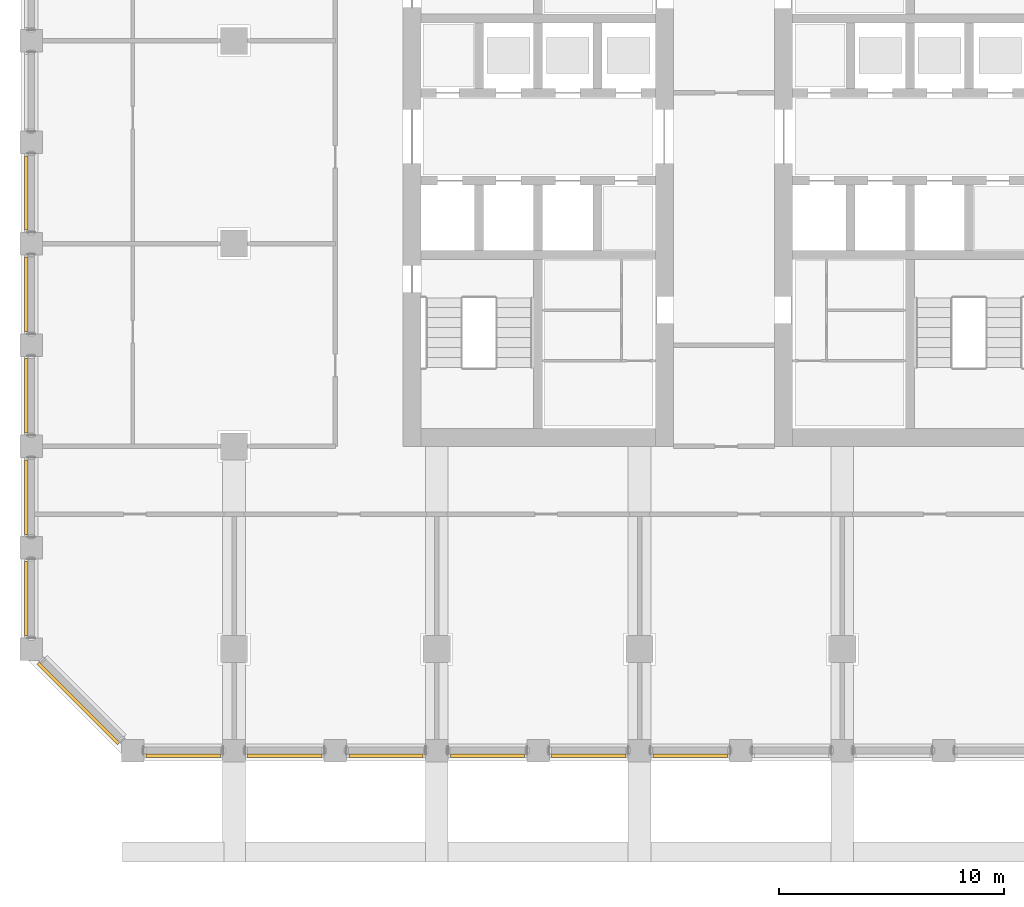
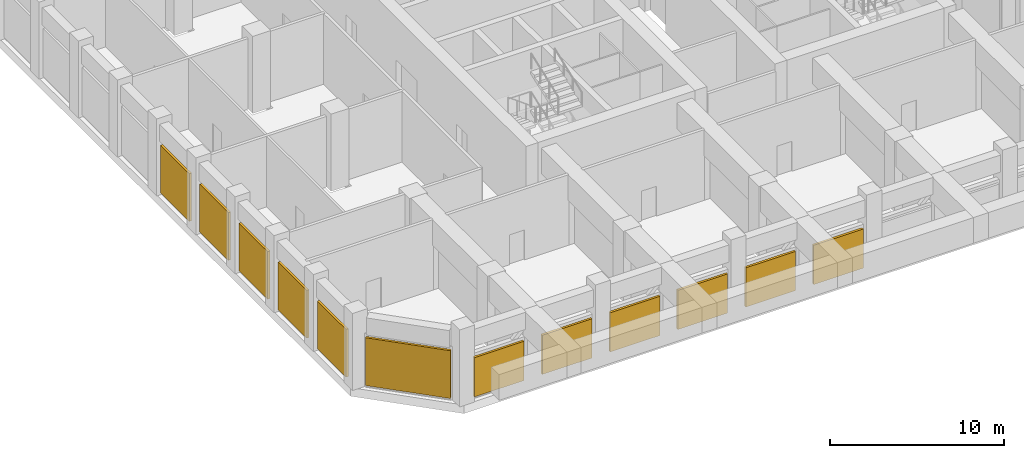
# One storey, part 13 of 20: 12 shading devices.
"""IFC4 building model written with IfcOpenShell, lengths in metres."""

from ifc_helpers import new_model, si_unit, direction, frame, origin, origin_2d, place, context, subcontext, project, spatial, rectangle, extrude, material, layer, layer_set, type_object, element, save


model = new_model("IFC4")

# Units and contexts
model_context = context("Model", 3, precision=1e-05, world=origin(), true_north=direction((0.0, 1.0)))
body_context = subcontext(model_context, "Body", "Model", "MODEL_VIEW")
ifc_project = project(units=[si_unit("LENGTHUNIT", "METRE"), si_unit("AREAUNIT", "SQUARE_METRE"), si_unit("VOLUMEUNIT", "CUBIC_METRE"), si_unit("PLANEANGLEUNIT", "RADIAN"), si_unit("MASSUNIT", "GRAM", prefix="KILO")], contexts=[model_context])

# Site, building, storey
site_placement = place(None, origin())
site = spatial("IfcSite", under=ifc_project, at=site_placement, CompositionType="ELEMENT")
building_placement = place(site_placement, origin())
building = spatial("IfcBuilding", under=site, at=building_placement, Name="Corbel Stack Research Tower", CompositionType="ELEMENT")
storey_placement = place(building_placement, frame((0.0, 0.0, 151.39990234375)))
storey = spatial("IfcBuildingStorey", under=building, at=storey_placement, Name="L34", CompositionType="ELEMENT", Elevation=151.39990234375)

# Shading devices
ifc_material = material(Name="Aluminium louvre", Category="aluminium")
ifc_layer = layer(ifc_material, 0.14990234375)
ifc_layer_set = layer_set([ifc_layer], Name="Aluminium louvre")
shading_device_type = type_object("IfcShadingDeviceType", Name="Plant louvre 150", PredefinedType="USERDEFINED", material=ifc_layer_set)
for number, where, z_axis, x_axis, name in (
    (1, (-20.25, -22.72509765625, 0.2001953125), (0.0, 0.0, 1.0), (1.0, 0.0, 0.0), "Plant louvre L34 S01"),
    (2, (-15.75, -22.72509765625, 0.2001953125), (0.0, 0.0, 1.0), (1.0, 0.0, 0.0), "Plant louvre L34 S02"),
    (3, (-11.25, -22.72509765625, 0.2001953125), (0.0, 0.0, 1.0), (1.0, 0.0, 0.0), "Plant louvre L34 S03"),
    (4, (-6.75, -22.72509765625, 0.2001953125), (0.0, 0.0, 1.0), (1.0, 0.0, 0.0), "Plant louvre L34 S04"),
    (5, (-2.25, -22.72509765625, 0.2001953125), (0.0, 0.0, 1.0), (1.0, 0.0, 0.0), "Plant louvre L34 S05"),
    (6, (2.25, -22.72509765625, 0.2001953125), (0.0, 0.0, 1.0), (1.0, 0.0, 0.0), "Plant louvre L34 S06"),
):
    element("IfcShadingDevice", number, at=place(storey_placement, frame(where, z_axis=z_axis, x_axis=x_axis)), inside=storey, type_object=shading_device_type, Name=name, ObjectType="LOUVRE", PredefinedType="USERDEFINED", context=body_context, shape_type="SweptSolid", body=[
        extrude(rectangle(XDim=3.300048828125, YDim=0.14990234375, at=origin_2d()), origin(), (0.0, 0.0, 1.0), 2.75),
    ])
for number, where, z_axis, x_axis, name in (
    (7, (-27.22509765625, 2.25, 0.199951171875), (0.0, 0.0, 1.0), (0.0, -1.0, 0.0), "Plant louvre L34 W05"),
    (8, (-27.22509765625, -2.25, 0.199951171875), (0.0, 0.0, 1.0), (0.0, -1.0, 0.0), "Plant louvre L34 W06"),
    (9, (-27.22509765625, -6.75, 0.199951171875), (0.0, 0.0, 1.0), (0.0, -1.0, 0.0), "Plant louvre L34 W07"),
    (10, (-27.22509765625, -11.25, 0.199951171875), (0.0, 0.0, 1.0), (0.0, -1.0, 0.0), "Plant louvre L34 W08"),
    (11, (-27.22509765625, -15.75, 0.199951171875), (0.0, 0.0, 1.0), (0.0, -1.0, 0.0), "Plant louvre L34 W09"),
):
    element("IfcShadingDevice", number, at=place(storey_placement, frame(where, z_axis=z_axis, x_axis=x_axis)), inside=storey, type_object=shading_device_type, Name=name, ObjectType="LOUVRE", PredefinedType="USERDEFINED", context=body_context, shape_type="SweptSolid", body=[
        extrude(rectangle(XDim=3.300048828125, YDim=0.14990234375, at=origin_2d()), origin(), (0.0, 0.0, 1.0), 3.35009765625),
    ])
shading_device_placement = place(storey_placement, frame((-24.9091796875, -20.4091796875, 0.199951171875), z_axis=(0.0, 0.0, 1.0), x_axis=(0.707106781187, -0.707106781187, 0.0)))
element("IfcShadingDevice", 12, at=shading_device_placement, inside=storey, type_object=shading_device_type, Name="Plant louvre L34 SW01", ObjectType="LOUVRE", PredefinedType="USERDEFINED", context=body_context, shape_type="SweptSolid", body=[
    extrude(rectangle(XDim=5.0498046875, YDim=0.14990234375, at=origin_2d()), origin(), (0.0, 0.0, 1.0), 3.35009765625),
])

save(model, "model.ifc")
